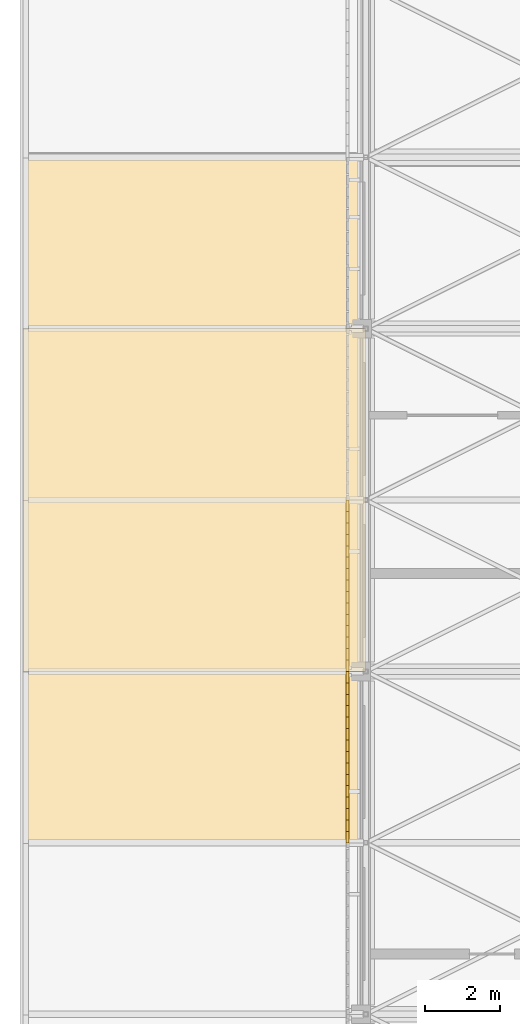
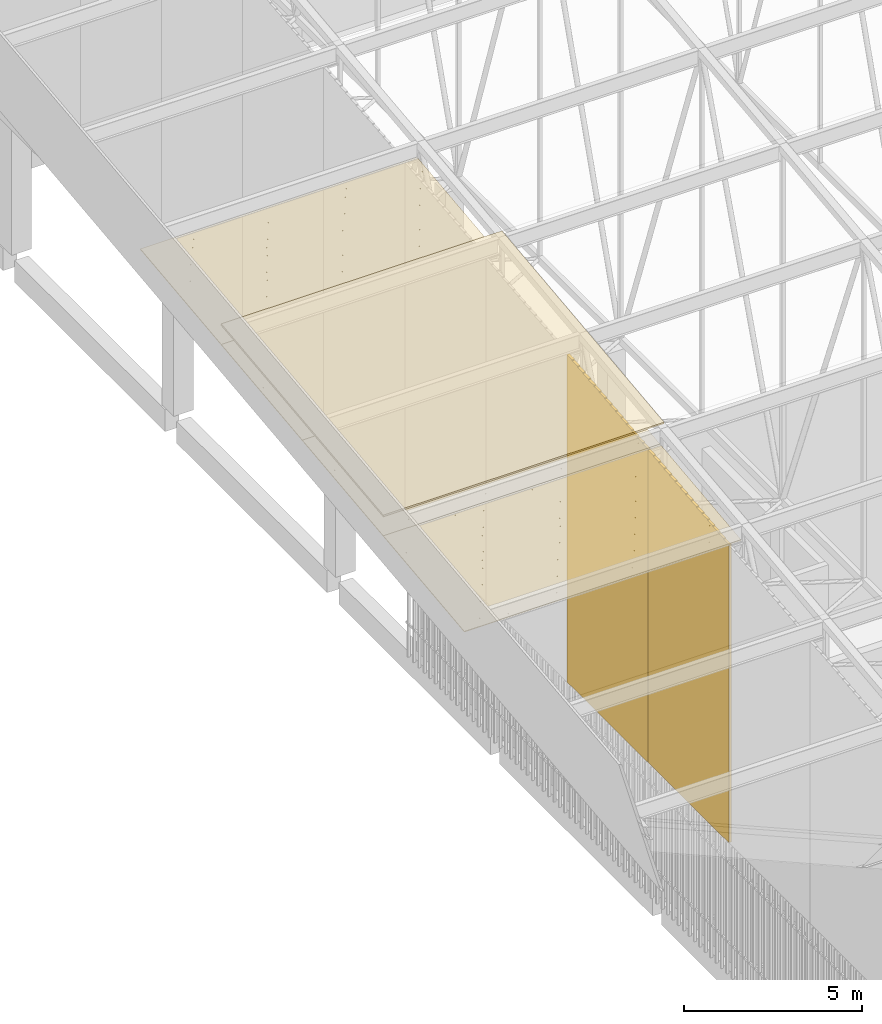
# One storey, part 462 of 500: 5 coverings, 2 shading devices.
"""IFC4 building model written with IfcOpenShell, lengths in metres."""

from ifc_helpers import new_model, si_unit, direction, frame, origin, origin_2d, place, context, subcontext, project, spatial, polyline, rectangle, outline, extrude, material, layer, layer_set, type_object, element, save


model = new_model("IFC4")

# Units and contexts
model_context = context("Model", 3, precision=1e-05, world=origin(), true_north=direction((0.0, 1.0)))
body_context = subcontext(model_context, "Body", "Model", "MODEL_VIEW")
ifc_project = project(units=[si_unit("LENGTHUNIT", "METRE"), si_unit("AREAUNIT", "SQUARE_METRE"), si_unit("VOLUMEUNIT", "CUBIC_METRE"), si_unit("PLANEANGLEUNIT", "RADIAN"), si_unit("MASSUNIT", "GRAM", prefix="KILO")], contexts=[model_context])

# Site, building, storey
site_placement = place(None, origin())
site = spatial("IfcSite", under=ifc_project, at=site_placement, CompositionType="ELEMENT")
building_placement = place(site_placement, origin())
building = spatial("IfcBuilding", under=site, at=building_placement, Name="Shirokan Park Arena", CompositionType="ELEMENT")
storey_placement = place(building_placement, frame((0.0, 0.0, 29.1201171875)))
storey = spatial("IfcBuildingStorey", under=building, at=storey_placement, Name="L06", CompositionType="ELEMENT", Elevation=29.1201171875)

# Coverings
ifc_material_1 = material(Name="Bituminous roofing membrane")
ifc_layer_1 = layer(ifc_material_1, 0.010009765625, Name="Bituminous roofing membrane")
ifc_material_2 = material(Name="Mineral wool insulation")
ifc_layer_2 = layer(ifc_material_2, 0.050048828125, Name="Mineral wool insulation")
ifc_layer_set_1 = layer_set([ifc_layer_1, ifc_layer_2], Name="Bituminous roofing membrane + Mineral wool insulation")
covering_type_1 = type_object("IfcCoveringType", Name="Roofing membrane 60", PredefinedType="ROOFING", material=ifc_layer_set_1)
covering_1_placement = place(storey_placement, frame((-9.10009765625, 27.300048828125, 16.05078125), z_axis=(0.0, -0.113526293343, 0.993534992197), x_axis=(1.0, 0.0, 0.0)))
element("IfcCovering", 1, at=covering_1_placement, inside=storey, type_object=covering_type_1, Name="Roofing", PredefinedType="ROOFING", context=body_context, shape_type="SweptSolid", body=[
    extrude(outline(polyline([(0.0, 0.0), (9.10009765625, 0.0), (9.10009765625, 9.159066954957241), (0.0, 9.159066954957241), (0.0, 0.0)])), origin(), (0.0, 0.0, -1.0), 0.06005859375),
])
ifc_material_3 = material(Name="Timber soffit boards (cedar)", Category="wood")
ifc_layer_3 = layer(ifc_material_3, 0.030029296875)
ifc_layer_set_2 = layer_set([ifc_layer_3], Name="Timber soffit boards (cedar) 30 mm")
covering_type_2 = type_object("IfcCoveringType", Name="Timber boarded soffit panel", PredefinedType="CLADDING", material=ifc_layer_set_2)
covering_2_placement = place(storey_placement, origin())
element("IfcCovering", 2, at=covering_2_placement, inside=storey, type_object=covering_type_2, Name="Rake soffit west bay 8", PredefinedType="CLADDING", context=body_context, shape_type="SweptSolid", body=[
    extrude(outline(polyline([(0.0, 0.0), (0.11999999999999922, 0.0), (0.11999999999999922, -4.579617887990221), (0.0, -4.579617887990221), (0.0, 0.0)])), frame((-8.97998046875, 22.75, 14.82177734375), z_axis=(0.0, -0.113546591161, 0.993532672656), x_axis=(-1.0, 0.0, 0.0)), (0.0, 0.0, -1.0), 0.030029296875),
    extrude(outline(polyline([(0.0, 0.0), (0.12, 0.0), (0.12, -4.579617887990222), (0.0, -4.579617887990222), (0.0, 0.0)])), frame((-0.2470703125, 27.300048828125, 15.341796875), z_axis=(0.0, -0.113546591161, 0.993532672656), x_axis=(1.0, 0.0, 0.0)), (0.0, 0.0, -1.0), 0.030029296875),
    extrude(outline(polyline([(0.0, 0.0), (0.12078064455863914, 0.0), (0.12078064455863914, -8.732999999999999), (0.0, -8.732999999999999), (0.0, 0.0)])), frame((-0.2470703125, 27.300048828125, 15.341796875), z_axis=(0.0, -0.11351156512, 0.993536675007), x_axis=(0.0, -0.993536675007, -0.11351156512)), (0.0, 0.0, -1.0), 0.030029296875),
    extrude(outline(polyline([(0.0, 0.0), (0.12078064455863916, 0.0), (0.12078064455863916, -8.733000000000002), (0.0, -8.733000000000002), (0.0, 0.0)])), frame((-8.97998046875, 22.75, 14.82177734375), z_axis=(0.0, -0.11351156512, 0.993536675007), x_axis=(0.0, 0.993536675007, 0.11351156512)), (0.0, 0.0, -1.0), 0.030029296875),
    extrude(outline(polyline([(0.0, 0.0), (8.733, 0.0), (8.733, -0.18452428160000803), (0.0, -0.18452428160000803), (0.0, 0.0)])), frame((-8.97998046875, 23.05322265625, 14.8564453125), z_axis=(0.0, -0.113589386818, 0.99352778079), x_axis=(1.0, 0.0, 0.0)), (0.0, 0.0, -1.0), 0.030029296875),
    extrude(outline(polyline([(0.0, 0.0), (8.733, 0.0), (8.733, -0.305313725862434), (0.0, -0.305313725862434), (0.0, 0.0)])), frame((-8.97998046875, 23.356689453125, 14.89111328125), z_axis=(0.0, -0.113522573877, 0.993535417195), x_axis=(1.0, 0.0, 0.0)), (0.0, 0.0, -1.0), 0.030029296875),
    extrude(outline(polyline([(0.0, 0.0), (8.733, 0.0), (8.733, -0.30530492593471087), (0.0, -0.30530492593471087), (0.0, 0.0)])), frame((-8.97998046875, 23.659912109375, 14.92578125), z_axis=(0.0, -0.113558600124, 0.99353130013), x_axis=(1.0, 0.0, 0.0)), (0.0, 0.0, -1.0), 0.030029296875),
    extrude(outline(polyline([(0.0, 0.0), (8.733, 0.0), (8.733, -0.30530492593471087), (0.0, -0.30530492593471087), (0.0, 0.0)])), frame((-8.97998046875, 23.96337890625, 14.96044921875), z_axis=(0.0, -0.113558600124, 0.99353130013), x_axis=(1.0, 0.0, 0.0)), (0.0, 0.0, -1.0), 0.030029296875),
    extrude(outline(polyline([(0.0, 0.0), (8.733, 0.0), (8.733, -0.30531372586243394), (0.0, -0.30531372586243394), (0.0, 0.0)])), frame((-8.97998046875, 24.2666015625, 14.9951171875), z_axis=(0.0, -0.113522573877, 0.993535417195), x_axis=(1.0, 0.0, 0.0)), (0.0, 0.0, -1.0), 0.030029296875),
    extrude(outline(polyline([(0.0, 0.0), (8.733, 0.0), (8.733, -0.30530492593471087), (0.0, -0.30530492593471087), (0.0, 0.0)])), frame((-8.97998046875, 24.570068359375, 15.02978515625), z_axis=(0.0, -0.113558600124, 0.99353130013), x_axis=(1.0, 0.0, 0.0)), (0.0, 0.0, -1.0), 0.030029296875),
    extrude(outline(polyline([(0.0, 0.0), (8.733, 0.0), (8.733, -0.30530492593471087), (0.0, -0.30530492593471087), (0.0, 0.0)])), frame((-8.97998046875, 24.873291015625, 15.064453125), z_axis=(0.0, -0.113558600124, 0.99353130013), x_axis=(1.0, 0.0, 0.0)), (0.0, 0.0, -1.0), 0.030029296875),
    extrude(outline(polyline([(0.0, 0.0), (8.733, 0.0), (8.733, -0.30531372586243394), (0.0, -0.30531372586243394), (0.0, 0.0)])), frame((-8.97998046875, 25.1767578125, 15.09912109375), z_axis=(0.0, -0.113522573877, 0.993535417195), x_axis=(1.0, 0.0, 0.0)), (0.0, 0.0, -1.0), 0.030029296875),
    extrude(outline(polyline([(0.0, 0.0), (8.733, 0.0), (8.733, -0.30530492593471087), (0.0, -0.30530492593471087), (0.0, 0.0)])), frame((-8.97998046875, 25.47998046875, 15.1337890625), z_axis=(0.0, -0.113558600124, 0.99353130013), x_axis=(1.0, 0.0, 0.0)), (0.0, 0.0, -1.0), 0.030029296875),
    extrude(outline(polyline([(0.0, 0.0), (8.733, 0.0), (8.733, -0.30530492593471165), (0.0, -0.30530492593471165), (0.0, 0.0)])), frame((-8.97998046875, 25.783447265625, 15.16845703125), z_axis=(0.0, -0.113558600124, 0.99353130013), x_axis=(1.0, 0.0, 0.0)), (0.0, 0.0, -1.0), 0.030029296875),
    extrude(outline(polyline([(0.0, 0.0), (8.733, 0.0), (8.733, -0.30531372586243316), (0.0, -0.30531372586243316), (0.0, 0.0)])), frame((-8.97998046875, 26.086669921875, 15.203125), z_axis=(0.0, -0.113522573877, 0.993535417195), x_axis=(1.0, 0.0, 0.0)), (0.0, 0.0, -1.0), 0.030029296875),
    extrude(outline(polyline([(0.0, 0.0), (8.733, 0.0), (8.733, -0.30530492593471087), (0.0, -0.30530492593471087), (0.0, 0.0)])), frame((-8.97998046875, 26.389892578125, 15.23779296875), z_axis=(0.0, -0.113558600124, 0.99353130013), x_axis=(1.0, 0.0, 0.0)), (0.0, 0.0, -1.0), 0.030029296875),
    extrude(outline(polyline([(0.0, 0.0), (8.733, 0.0), (8.733, -0.30530492593471165), (0.0, -0.30530492593471165), (0.0, 0.0)])), frame((-8.97998046875, 26.693359375, 15.2724609375), z_axis=(0.0, -0.113558600124, 0.99353130013), x_axis=(1.0, 0.0, 0.0)), (0.0, 0.0, -1.0), 0.030029296875),
    extrude(outline(polyline([(0.0, 0.0), (8.733, 0.0), (8.733, -0.3053137258624331), (0.0, -0.3053137258624331), (0.0, 0.0)])), frame((-8.97998046875, 26.99658203125, 15.30712890625), z_axis=(0.0, -0.113522573877, 0.993535417195), x_axis=(1.0, 0.0, 0.0)), (0.0, 0.0, -1.0), 0.030029296875),
    extrude(outline(polyline([(0.0, 0.0), (8.733, 0.0), (8.733, -0.18452428160000883), (0.0, -0.18452428160000883), (0.0, 0.0)])), frame((-8.97998046875, 27.179931640625, 15.328125), z_axis=(0.0, -0.113589386818, 0.99352778079), x_axis=(1.0, 0.0, 0.0)), (0.0, 0.0, -1.0), 0.030029296875),
])
covering_3_placement = place(storey_placement, origin())
element("IfcCovering", 3, at=covering_3_placement, inside=storey, type_object=covering_type_2, Name="Rake soffit west bay 9", PredefinedType="CLADDING", context=body_context, shape_type="SweptSolid", body=[
    extrude(outline(polyline([(0.0, 0.0), (0.11999999999999922, 0.0), (0.11999999999999922, -4.579617887990219), (0.0, -4.579617887990219), (0.0, 0.0)])), frame((-8.97998046875, 27.300048828125, 15.341796875), z_axis=(0.0, -0.113546591161, 0.993532672656), x_axis=(-1.0, 0.0, 0.0)), (0.0, 0.0, -1.0), 0.030029296875),
    extrude(outline(polyline([(0.0, 0.0), (0.12, 0.0), (0.12, -4.57961788799022), (0.0, -4.57961788799022), (0.0, 0.0)])), frame((-0.2470703125, 31.85009765625, 15.86181640625), z_axis=(0.0, -0.113546591161, 0.993532672656), x_axis=(1.0, 0.0, 0.0)), (0.0, 0.0, -1.0), 0.030029296875),
    extrude(outline(polyline([(0.0, 0.0), (0.12078064455863834, 0.0), (0.12078064455863834, -8.733000000000002), (0.0, -8.733000000000002), (0.0, 0.0)])), frame((-0.2470703125, 31.85009765625, 15.86181640625), z_axis=(0.0, -0.11351156512, 0.993536675007), x_axis=(0.0, -0.993536675007, -0.11351156512)), (0.0, 0.0, -1.0), 0.030029296875),
    extrude(outline(polyline([(0.0, 0.0), (0.12078064455863834, 0.0), (0.12078064455863834, -8.733000000000002), (0.0, -8.733000000000002), (0.0, 0.0)])), frame((-8.97998046875, 27.300048828125, 15.341796875), z_axis=(0.0, -0.11351156512, 0.993536675007), x_axis=(0.0, 0.993536675007, 0.11351156512)), (0.0, 0.0, -1.0), 0.030029296875),
    extrude(outline(polyline([(0.0, 0.0), (8.733, 0.0), (8.733, -0.18452428160000883), (0.0, -0.18452428160000883), (0.0, 0.0)])), frame((-8.97998046875, 27.603271484375, 15.37646484375), z_axis=(0.0, -0.113589386818, 0.99352778079), x_axis=(1.0, 0.0, 0.0)), (0.0, 0.0, -1.0), 0.030029296875),
    extrude(outline(polyline([(0.0, 0.0), (8.733, 0.0), (8.733, -0.3053137258624296), (0.0, -0.3053137258624296), (0.0, 0.0)])), frame((-8.97998046875, 27.90673828125, 15.4111328125), z_axis=(0.0, -0.113522573877, 0.993535417195), x_axis=(1.0, 0.0, 0.0)), (0.0, 0.0, -1.0), 0.030029296875),
    extrude(outline(polyline([(0.0, 0.0), (8.733, 0.0), (8.733, -0.3053049259347152), (0.0, -0.3053049259347152), (0.0, 0.0)])), frame((-8.97998046875, 28.2099609375, 15.44580078125), z_axis=(0.0, -0.113558600124, 0.99353130013), x_axis=(1.0, 0.0, 0.0)), (0.0, 0.0, -1.0), 0.030029296875),
    extrude(outline(polyline([(0.0, 0.0), (8.733, 0.0), (8.733, -0.30530492593471087), (0.0, -0.30530492593471087), (0.0, 0.0)])), frame((-8.97998046875, 28.513427734375, 15.48046875), z_axis=(0.0, -0.113558600124, 0.99353130013), x_axis=(1.0, 0.0, 0.0)), (0.0, 0.0, -1.0), 0.030029296875),
    extrude(outline(polyline([(0.0, 0.0), (8.733, 0.0), (8.733, -0.30531372586243044), (0.0, -0.30531372586243044), (0.0, 0.0)])), frame((-8.97998046875, 28.816650390625, 15.51513671875), z_axis=(0.0, -0.113522573877, 0.993535417195), x_axis=(1.0, 0.0, 0.0)), (0.0, 0.0, -1.0), 0.030029296875),
    extrude(outline(polyline([(0.0, 0.0), (8.733, 0.0), (8.733, -0.3053049259347144), (0.0, -0.3053049259347144), (0.0, 0.0)])), frame((-8.97998046875, 29.1201171875, 15.5498046875), z_axis=(0.0, -0.113558600124, 0.99353130013), x_axis=(1.0, 0.0, 0.0)), (0.0, 0.0, -1.0), 0.030029296875),
    extrude(outline(polyline([(0.0, 0.0), (8.733, 0.0), (8.733, -0.30530492593471087), (0.0, -0.30530492593471087), (0.0, 0.0)])), frame((-8.97998046875, 29.42333984375, 15.58447265625), z_axis=(0.0, -0.113558600124, 0.99353130013), x_axis=(1.0, 0.0, 0.0)), (0.0, 0.0, -1.0), 0.030029296875),
    extrude(outline(polyline([(0.0, 0.0), (8.733, 0.0), (8.733, -0.30531372586243044), (0.0, -0.30531372586243044), (0.0, 0.0)])), frame((-8.97998046875, 29.7265625, 15.619140625), z_axis=(0.0, -0.113522573877, 0.993535417195), x_axis=(1.0, 0.0, 0.0)), (0.0, 0.0, -1.0), 0.030029296875),
    extrude(outline(polyline([(0.0, 0.0), (8.733, 0.0), (8.733, -0.3053049259347144), (0.0, -0.3053049259347144), (0.0, 0.0)])), frame((-8.97998046875, 30.030029296875, 15.65380859375), z_axis=(0.0, -0.113558600124, 0.99353130013), x_axis=(1.0, 0.0, 0.0)), (0.0, 0.0, -1.0), 0.030029296875),
    extrude(outline(polyline([(0.0, 0.0), (8.733, 0.0), (8.733, -0.3053049259347108), (0.0, -0.3053049259347108), (0.0, 0.0)])), frame((-8.97998046875, 30.333251953125, 15.6884765625), z_axis=(0.0, -0.113558600124, 0.99353130013), x_axis=(1.0, 0.0, 0.0)), (0.0, 0.0, -1.0), 0.030029296875),
    extrude(outline(polyline([(0.0, 0.0), (8.733, 0.0), (8.733, -0.30531372586243044), (0.0, -0.30531372586243044), (0.0, 0.0)])), frame((-8.97998046875, 30.63671875, 15.72314453125), z_axis=(0.0, -0.113522573877, 0.993535417195), x_axis=(1.0, 0.0, 0.0)), (0.0, 0.0, -1.0), 0.030029296875),
    extrude(outline(polyline([(0.0, 0.0), (8.733, 0.0), (8.733, -0.3053049259347144), (0.0, -0.3053049259347144), (0.0, 0.0)])), frame((-8.97998046875, 30.93994140625, 15.7578125), z_axis=(0.0, -0.113558600124, 0.99353130013), x_axis=(1.0, 0.0, 0.0)), (0.0, 0.0, -1.0), 0.030029296875),
    extrude(outline(polyline([(0.0, 0.0), (8.733, 0.0), (8.733, -0.30530492593471087), (0.0, -0.30530492593471087), (0.0, 0.0)])), frame((-8.97998046875, 31.243408203125, 15.79248046875), z_axis=(0.0, -0.113558600124, 0.99353130013), x_axis=(1.0, 0.0, 0.0)), (0.0, 0.0, -1.0), 0.030029296875),
    extrude(outline(polyline([(0.0, 0.0), (8.733, 0.0), (8.733, -0.30531372586243044), (0.0, -0.30531372586243044), (0.0, 0.0)])), frame((-8.97998046875, 31.546630859375, 15.8271484375), z_axis=(0.0, -0.113522573877, 0.993535417195), x_axis=(1.0, 0.0, 0.0)), (0.0, 0.0, -1.0), 0.030029296875),
    extrude(outline(polyline([(0.0, 0.0), (8.733, 0.0), (8.733, -0.18452428160001236), (0.0, -0.18452428160001236), (0.0, 0.0)])), frame((-8.97998046875, 31.72998046875, 15.84814453125), z_axis=(0.0, -0.113589386818, 0.99352778079), x_axis=(1.0, 0.0, 0.0)), (0.0, 0.0, -1.0), 0.030029296875),
])
covering_4_placement = place(storey_placement, origin())
element("IfcCovering", 4, at=covering_4_placement, inside=storey, type_object=covering_type_2, Name="Rake soffit west bay 10", PredefinedType="CLADDING", context=body_context, shape_type="SweptSolid", body=[
    extrude(outline(polyline([(0.0, 0.0), (0.11999999999999922, 0.0), (0.11999999999999922, -4.579617887990217), (0.0, -4.579617887990217), (0.0, 0.0)])), frame((-8.97998046875, 31.85009765625, 15.86181640625), z_axis=(0.0, -0.113546591161, 0.993532672656), x_axis=(-1.0, 0.0, 0.0)), (0.0, 0.0, -1.0), 0.030029296875),
    extrude(outline(polyline([(0.0, 0.0), (0.12, 0.0), (0.12, -4.579617887990218), (0.0, -4.579617887990218), (0.0, 0.0)])), frame((-0.2470703125, 36.39990234375, 16.3818359375), z_axis=(0.0, -0.113546591161, 0.993532672656), x_axis=(1.0, 0.0, 0.0)), (0.0, 0.0, -1.0), 0.030029296875),
    extrude(outline(polyline([(0.0, 0.0), (0.12078064455863562, 0.0), (0.12078064455863562, -8.733000000000002), (0.0, -8.733000000000002), (0.0, 0.0)])), frame((-0.2470703125, 36.39990234375, 16.3818359375), z_axis=(0.0, -0.11351156512, 0.993536675007), x_axis=(0.0, -0.993536675007, -0.11351156512)), (0.0, 0.0, -1.0), 0.030029296875),
    extrude(outline(polyline([(0.0, 0.0), (0.12078064455863562, 0.0), (0.12078064455863562, -8.733000000000002), (0.0, -8.733000000000002), (0.0, 0.0)])), frame((-8.97998046875, 31.85009765625, 15.86181640625), z_axis=(0.0, -0.11351156512, 0.993536675007), x_axis=(0.0, 0.993536675007, 0.11351156512)), (0.0, 0.0, -1.0), 0.030029296875),
    extrude(outline(polyline([(0.0, 0.0), (8.733, 0.0), (8.733, -0.18452428160000803), (0.0, -0.18452428160000803), (0.0, 0.0)])), frame((-8.97998046875, 32.1533203125, 15.896484375), z_axis=(0.0, -0.113589386818, 0.99352778079), x_axis=(1.0, 0.0, 0.0)), (0.0, 0.0, -1.0), 0.030029296875),
    extrude(outline(polyline([(0.0, 0.0), (8.733, 0.0), (8.733, -0.30531372586243744), (0.0, -0.30531372586243744), (0.0, 0.0)])), frame((-8.97998046875, 32.456787109375, 15.93115234375), z_axis=(0.0, -0.113522573877, 0.993535417195), x_axis=(1.0, 0.0, 0.0)), (0.0, 0.0, -1.0), 0.030029296875),
    extrude(outline(polyline([(0.0, 0.0), (8.733, 0.0), (8.733, -0.3053049259347073), (0.0, -0.3053049259347073), (0.0, 0.0)])), frame((-8.97998046875, 32.760009765625, 15.9658203125), z_axis=(0.0, -0.113558600124, 0.99353130013), x_axis=(1.0, 0.0, 0.0)), (0.0, 0.0, -1.0), 0.030029296875),
    extrude(outline(polyline([(0.0, 0.0), (8.733, 0.0), (8.733, -0.3053049259347144), (0.0, -0.3053049259347144), (0.0, 0.0)])), frame((-8.97998046875, 33.063232421875, 16.00048828125), z_axis=(0.0, -0.113558600124, 0.99353130013), x_axis=(1.0, 0.0, 0.0)), (0.0, 0.0, -1.0), 0.030029296875),
    extrude(outline(polyline([(0.0, 0.0), (8.733, 0.0), (8.733, -0.30531372586243044), (0.0, -0.30531372586243044), (0.0, 0.0)])), frame((-8.97998046875, 33.36669921875, 16.03515625), z_axis=(0.0, -0.113522573877, 0.993535417195), x_axis=(1.0, 0.0, 0.0)), (0.0, 0.0, -1.0), 0.030029296875),
    extrude(outline(polyline([(0.0, 0.0), (8.733, 0.0), (8.733, -0.3053049259347144), (0.0, -0.3053049259347144), (0.0, 0.0)])), frame((-8.97998046875, 33.669921875, 16.06982421875), z_axis=(0.0, -0.113558600124, 0.99353130013), x_axis=(1.0, 0.0, 0.0)), (0.0, 0.0, -1.0), 0.030029296875),
    extrude(outline(polyline([(0.0, 0.0), (8.733, 0.0), (8.733, -0.3053049259347081), (0.0, -0.3053049259347081), (0.0, 0.0)])), frame((-8.97998046875, 33.973388671875, 16.1044921875), z_axis=(0.0, -0.113558600124, 0.99353130013), x_axis=(1.0, 0.0, 0.0)), (0.0, 0.0, -1.0), 0.030029296875),
    extrude(outline(polyline([(0.0, 0.0), (8.733, 0.0), (8.733, -0.3053137258624367), (0.0, -0.3053137258624367), (0.0, 0.0)])), frame((-8.97998046875, 34.276611328125, 16.13916015625), z_axis=(0.0, -0.113522573877, 0.993535417195), x_axis=(1.0, 0.0, 0.0)), (0.0, 0.0, -1.0), 0.030029296875),
    extrude(outline(polyline([(0.0, 0.0), (8.733, 0.0), (8.733, -0.3053049259347073), (0.0, -0.3053049259347073), (0.0, 0.0)])), frame((-8.97998046875, 34.580078125, 16.173828125), z_axis=(0.0, -0.113558600124, 0.99353130013), x_axis=(1.0, 0.0, 0.0)), (0.0, 0.0, -1.0), 0.030029296875),
    extrude(outline(polyline([(0.0, 0.0), (8.733, 0.0), (8.733, -0.3053049259347152), (0.0, -0.3053049259347152), (0.0, 0.0)])), frame((-8.97998046875, 34.88330078125, 16.20849609375), z_axis=(0.0, -0.113558600124, 0.99353130013), x_axis=(1.0, 0.0, 0.0)), (0.0, 0.0, -1.0), 0.030029296875),
    extrude(outline(polyline([(0.0, 0.0), (8.733, 0.0), (8.733, -0.3053137258624296), (0.0, -0.3053137258624296), (0.0, 0.0)])), frame((-8.97998046875, 35.186767578125, 16.2431640625), z_axis=(0.0, -0.113522573877, 0.993535417195), x_axis=(1.0, 0.0, 0.0)), (0.0, 0.0, -1.0), 0.030029296875),
    extrude(outline(polyline([(0.0, 0.0), (8.733, 0.0), (8.733, -0.3053049259347152), (0.0, -0.3053049259347152), (0.0, 0.0)])), frame((-8.97998046875, 35.489990234375, 16.27783203125), z_axis=(0.0, -0.113558600124, 0.99353130013), x_axis=(1.0, 0.0, 0.0)), (0.0, 0.0, -1.0), 0.030029296875),
    extrude(outline(polyline([(0.0, 0.0), (8.733, 0.0), (8.733, -0.3053049259347073), (0.0, -0.3053049259347073), (0.0, 0.0)])), frame((-8.97998046875, 35.793212890625, 16.3125), z_axis=(0.0, -0.113558600124, 0.99353130013), x_axis=(1.0, 0.0, 0.0)), (0.0, 0.0, -1.0), 0.030029296875),
    extrude(outline(polyline([(0.0, 0.0), (8.733, 0.0), (8.733, -0.3053137258624367), (0.0, -0.3053137258624367), (0.0, 0.0)])), frame((-8.97998046875, 36.0966796875, 16.34716796875), z_axis=(0.0, -0.113522573877, 0.993535417195), x_axis=(1.0, 0.0, 0.0)), (0.0, 0.0, -1.0), 0.030029296875),
    extrude(outline(polyline([(0.0, 0.0), (8.733, 0.0), (8.733, -0.18452428160000883), (0.0, -0.18452428160000883), (0.0, 0.0)])), frame((-8.97998046875, 36.280029296875, 16.3681640625), z_axis=(0.0, -0.113589386818, 0.99352778079), x_axis=(1.0, 0.0, 0.0)), (0.0, 0.0, -1.0), 0.030029296875),
])
covering_5_placement = place(storey_placement, origin())
element("IfcCovering", 5, at=covering_5_placement, inside=storey, type_object=covering_type_2, Name="Rake soffit west bay 11", PredefinedType="CLADDING", context=body_context, shape_type="SweptSolid", body=[
    extrude(outline(polyline([(0.0, 0.0), (0.11999999999999922, 0.0), (0.11999999999999922, -4.579617887990223), (0.0, -4.579617887990223), (0.0, 0.0)])), frame((-8.97998046875, 36.39990234375, 16.3818359375), z_axis=(0.0, -0.113546591161, 0.993532672656), x_axis=(-1.0, 0.0, 0.0)), (0.0, 0.0, -1.0), 0.030029296875),
    extrude(outline(polyline([(0.0, 0.0), (0.12, 0.0), (0.12, -4.579617887990223), (0.0, -4.579617887990223), (0.0, 0.0)])), frame((-0.2470703125, 40.949951171875, 16.90185546875), z_axis=(0.0, -0.113546591161, 0.993532672656), x_axis=(1.0, 0.0, 0.0)), (0.0, 0.0, -1.0), 0.030029296875),
    extrude(outline(polyline([(0.0, 0.0), (0.12078064455864186, 0.0), (0.12078064455864186, -8.733), (0.0, -8.733), (0.0, 0.0)])), frame((-0.2470703125, 40.949951171875, 16.90185546875), z_axis=(0.0, -0.11351156512, 0.993536675007), x_axis=(0.0, -0.993536675007, -0.11351156512)), (0.0, 0.0, -1.0), 0.030029296875),
    extrude(outline(polyline([(0.0, 0.0), (0.12078064455864188, 0.0), (0.12078064455864188, -8.733000000000002), (0.0, -8.733000000000002), (0.0, 0.0)])), frame((-8.97998046875, 36.39990234375, 16.3818359375), z_axis=(0.0, -0.11351156512, 0.993536675007), x_axis=(0.0, 0.993536675007, 0.11351156512)), (0.0, 0.0, -1.0), 0.030029296875),
    extrude(outline(polyline([(0.0, 0.0), (8.733, 0.0), (8.733, -0.18452428160000883), (0.0, -0.18452428160000883), (0.0, 0.0)])), frame((-8.97998046875, 36.703369140625, 16.41650390625), z_axis=(0.0, -0.113589386818, 0.99352778079), x_axis=(1.0, 0.0, 0.0)), (0.0, 0.0, -1.0), 0.030029296875),
    extrude(outline(polyline([(0.0, 0.0), (8.733, 0.0), (8.733, -0.30531372586243044), (0.0, -0.30531372586243044), (0.0, 0.0)])), frame((-8.97998046875, 37.006591796875, 16.451171875), z_axis=(0.0, -0.113522573877, 0.993535417195), x_axis=(1.0, 0.0, 0.0)), (0.0, 0.0, -1.0), 0.030029296875),
    extrude(outline(polyline([(0.0, 0.0), (8.733, 0.0), (8.733, -0.3053049259347144), (0.0, -0.3053049259347144), (0.0, 0.0)])), frame((-8.97998046875, 37.31005859375, 16.48583984375), z_axis=(0.0, -0.113558600124, 0.99353130013), x_axis=(1.0, 0.0, 0.0)), (0.0, 0.0, -1.0), 0.030029296875),
    extrude(outline(polyline([(0.0, 0.0), (8.733, 0.0), (8.733, -0.3053049259347073), (0.0, -0.3053049259347073), (0.0, 0.0)])), frame((-8.97998046875, 37.61328125, 16.5205078125), z_axis=(0.0, -0.113558600124, 0.99353130013), x_axis=(1.0, 0.0, 0.0)), (0.0, 0.0, -1.0), 0.030029296875),
    extrude(outline(polyline([(0.0, 0.0), (8.733, 0.0), (8.733, -0.30531372586243744), (0.0, -0.30531372586243744), (0.0, 0.0)])), frame((-8.97998046875, 37.916748046875, 16.55517578125), z_axis=(0.0, -0.113522573877, 0.993535417195), x_axis=(1.0, 0.0, 0.0)), (0.0, 0.0, -1.0), 0.030029296875),
    extrude(outline(polyline([(0.0, 0.0), (8.733, 0.0), (8.733, -0.3053049259347073), (0.0, -0.3053049259347073), (0.0, 0.0)])), frame((-8.97998046875, 38.219970703125, 16.58984375), z_axis=(0.0, -0.113558600124, 0.99353130013), x_axis=(1.0, 0.0, 0.0)), (0.0, 0.0, -1.0), 0.030029296875),
    extrude(outline(polyline([(0.0, 0.0), (8.733, 0.0), (8.733, -0.3053049259347144), (0.0, -0.3053049259347144), (0.0, 0.0)])), frame((-8.97998046875, 38.5234375, 16.62451171875), z_axis=(0.0, -0.113558600124, 0.99353130013), x_axis=(1.0, 0.0, 0.0)), (0.0, 0.0, -1.0), 0.030029296875),
    extrude(outline(polyline([(0.0, 0.0), (8.733, 0.0), (8.733, -0.30531372586243044), (0.0, -0.30531372586243044), (0.0, 0.0)])), frame((-8.97998046875, 38.82666015625, 16.6591796875), z_axis=(0.0, -0.113522573877, 0.993535417195), x_axis=(1.0, 0.0, 0.0)), (0.0, 0.0, -1.0), 0.030029296875),
    extrude(outline(polyline([(0.0, 0.0), (8.733, 0.0), (8.733, -0.3053049259347144), (0.0, -0.3053049259347144), (0.0, 0.0)])), frame((-8.97998046875, 39.1298828125, 16.69384765625), z_axis=(0.0, -0.113558600124, 0.99353130013), x_axis=(1.0, 0.0, 0.0)), (0.0, 0.0, -1.0), 0.030029296875),
    extrude(outline(polyline([(0.0, 0.0), (8.733, 0.0), (8.733, -0.3053049259347073), (0.0, -0.3053049259347073), (0.0, 0.0)])), frame((-8.97998046875, 39.433349609375, 16.728515625), z_axis=(0.0, -0.113558600124, 0.99353130013), x_axis=(1.0, 0.0, 0.0)), (0.0, 0.0, -1.0), 0.030029296875),
    extrude(outline(polyline([(0.0, 0.0), (8.733, 0.0), (8.733, -0.30531372586243044), (0.0, -0.30531372586243044), (0.0, 0.0)])), frame((-8.97998046875, 39.736572265625, 16.76318359375), z_axis=(0.0, -0.113522573877, 0.993535417195), x_axis=(1.0, 0.0, 0.0)), (0.0, 0.0, -1.0), 0.030029296875),
    extrude(outline(polyline([(0.0, 0.0), (8.733, 0.0), (8.733, -0.3053049259347144), (0.0, -0.3053049259347144), (0.0, 0.0)])), frame((-8.97998046875, 40.0400390625, 16.7978515625), z_axis=(0.0, -0.113558600124, 0.99353130013), x_axis=(1.0, 0.0, 0.0)), (0.0, 0.0, -1.0), 0.030029296875),
    extrude(outline(polyline([(0.0, 0.0), (8.733, 0.0), (8.733, -0.3053049259347144), (0.0, -0.3053049259347144), (0.0, 0.0)])), frame((-8.97998046875, 40.34326171875, 16.83251953125), z_axis=(0.0, -0.113558600124, 0.99353130013), x_axis=(1.0, 0.0, 0.0)), (0.0, 0.0, -1.0), 0.030029296875),
    extrude(outline(polyline([(0.0, 0.0), (8.733, 0.0), (8.733, -0.30531372586243044), (0.0, -0.30531372586243044), (0.0, 0.0)])), frame((-8.97998046875, 40.646728515625, 16.8671875), z_axis=(0.0, -0.113522573877, 0.993535417195), x_axis=(1.0, 0.0, 0.0)), (0.0, 0.0, -1.0), 0.030029296875),
    extrude(outline(polyline([(0.0, 0.0), (8.733, 0.0), (8.733, -0.18452428160000883), (0.0, -0.18452428160000883), (0.0, 0.0)])), frame((-8.97998046875, 40.830078125, 16.88818359375), z_axis=(0.0, -0.113589386818, 0.99352778079), x_axis=(1.0, 0.0, 0.0)), (0.0, 0.0, -1.0), 0.030029296875),
])

# Shading devices
ifc_material_4 = material(Name="Timber louvre veil (cedar)", Category="wood")
shading_device_type = type_object("IfcShadingDeviceType", Name="Timber louvre veil panel, gable band, closed", PredefinedType="JALOUSIE", material=ifc_material_4)
shading_device_1_placement = place(storey_placement, origin())
element("IfcShadingDevice", 6, at=shading_device_1_placement, inside=storey, type_object=shading_device_type, Name="Timber louvre veil gable band west bay 8", PredefinedType="JALOUSIE", context=body_context, shape_type="SweptSolid", body=[
    extrude(outline(polyline([(23.05322265625, 14.7919921875), (22.75, 14.7919921875), (22.75, 4.575927734375), (27.300048828125, 4.575927734375), (27.300048828125, 15.277099609375), (26.99658203125, 15.277099609375), (26.99658203125, 15.242431640625), (26.693359375, 15.242431640625), (26.693359375, 15.207763671875), (26.389892578125, 15.207763671875), (26.389892578125, 15.173095703125), (26.086669921875, 15.173095703125), (26.086669921875, 15.138671875), (25.783447265625, 15.138671875), (25.783447265625, 15.10400390625), (25.47998046875, 15.10400390625), (25.47998046875, 15.0693359375), (25.1767578125, 15.0693359375), (25.1767578125, 15.03466796875), (24.873291015625, 15.03466796875), (24.873291015625, 15.0), (24.570068359375, 15.0), (24.570068359375, 14.96533203125), (24.2666015625, 14.96533203125), (24.2666015625, 14.9306640625), (23.96337890625, 14.9306640625), (23.96337890625, 14.89599609375), (23.659912109375, 14.89599609375), (23.659912109375, 14.861328125), (23.356689453125, 14.861328125), (23.356689453125, 14.82666015625), (23.05322265625, 14.82666015625), (23.05322265625, 14.7919921875)])), frame((-0.525146484375, 0.0, 0.0), z_axis=(1.0, 0.0, 0.0), x_axis=(0.0, 1.0, 0.0)), (0.0, 0.0, 1.0), 0.080078125),
    extrude(rectangle(XDim=0.050048828125, YDim=4.550048828125, at=origin_2d()), frame((-0.469970703125, 25.02490234375, 4.98583984375), z_axis=(0.0, 0.0, 1.0), x_axis=(1.0, 0.0, 0.0)), (0.0, 0.0, 1.0), 0.080078125),
    extrude(rectangle(XDim=0.050048828125, YDim=4.550048828125, at=origin_2d()), frame((-0.469970703125, 25.02490234375, 9.643798828125), z_axis=(0.0, 0.0, 1.0), x_axis=(1.0, 0.0, 0.0)), (0.0, 0.0, 1.0), 0.080078125),
    extrude(rectangle(XDim=0.050048828125, YDim=4.550048828125, at=origin_2d()), frame((-0.469970703125, 25.02490234375, 14.65185546875), z_axis=(0.0, 0.0, 1.0), x_axis=(1.0, 0.0, 0.0)), (0.0, 0.0, 1.0), 0.080078125),
])
shading_device_2_placement = place(storey_placement, origin())
element("IfcShadingDevice", 7, at=shading_device_2_placement, inside=storey, type_object=shading_device_type, Name="Timber louvre veil gable band west bay 9", PredefinedType="JALOUSIE", context=body_context, shape_type="SweptSolid", body=[
    extrude(outline(polyline([(27.603271484375, 15.311767578125), (27.300048828125, 15.311767578125), (27.300048828125, 4.575927734375), (31.85009765625, 4.575927734375), (31.85009765625, 15.797119140625), (31.546630859375, 15.797119140625), (31.546630859375, 15.762451171875), (31.243408203125, 15.762451171875), (31.243408203125, 15.727783203125), (30.93994140625, 15.727783203125), (30.93994140625, 15.693115234375), (30.63671875, 15.693115234375), (30.63671875, 15.658447265625), (30.333251953125, 15.658447265625), (30.333251953125, 15.623779296875), (30.030029296875, 15.623779296875), (30.030029296875, 15.589111328125), (29.7265625, 15.589111328125), (29.7265625, 15.554443359375), (29.42333984375, 15.554443359375), (29.42333984375, 15.519775390625), (29.1201171875, 15.519775390625), (29.1201171875, 15.485107421875), (28.816650390625, 15.485107421875), (28.816650390625, 15.450439453125), (28.513427734375, 15.450439453125), (28.513427734375, 15.415771484375), (28.2099609375, 15.415771484375), (28.2099609375, 15.381103515625), (27.90673828125, 15.381103515625), (27.90673828125, 15.346435546875), (27.603271484375, 15.346435546875), (27.603271484375, 15.311767578125)])), frame((-0.525146484375, 0.0, 0.0), z_axis=(1.0, 0.0, 0.0), x_axis=(0.0, 1.0, 0.0)), (0.0, 0.0, 1.0), 0.080078125),
    extrude(rectangle(XDim=0.050048828125, YDim=4.550048828125, at=origin_2d()), frame((-0.469970703125, 29.574951171875, 4.98583984375), z_axis=(0.0, 0.0, 1.0), x_axis=(1.0, 0.0, 0.0)), (0.0, 0.0, 1.0), 0.080078125),
    extrude(rectangle(XDim=0.050048828125, YDim=4.550048828125, at=origin_2d()), frame((-0.469970703125, 29.574951171875, 9.90380859375), z_axis=(0.0, 0.0, 1.0), x_axis=(1.0, 0.0, 0.0)), (0.0, 0.0, 1.0), 0.080078125),
    extrude(rectangle(XDim=0.050048828125, YDim=4.550048828125, at=origin_2d()), frame((-0.469970703125, 29.574951171875, 15.171875), z_axis=(0.0, 0.0, 1.0), x_axis=(1.0, 0.0, 0.0)), (0.0, 0.0, 1.0), 0.080078125),
])

save(model, "model.ifc")
